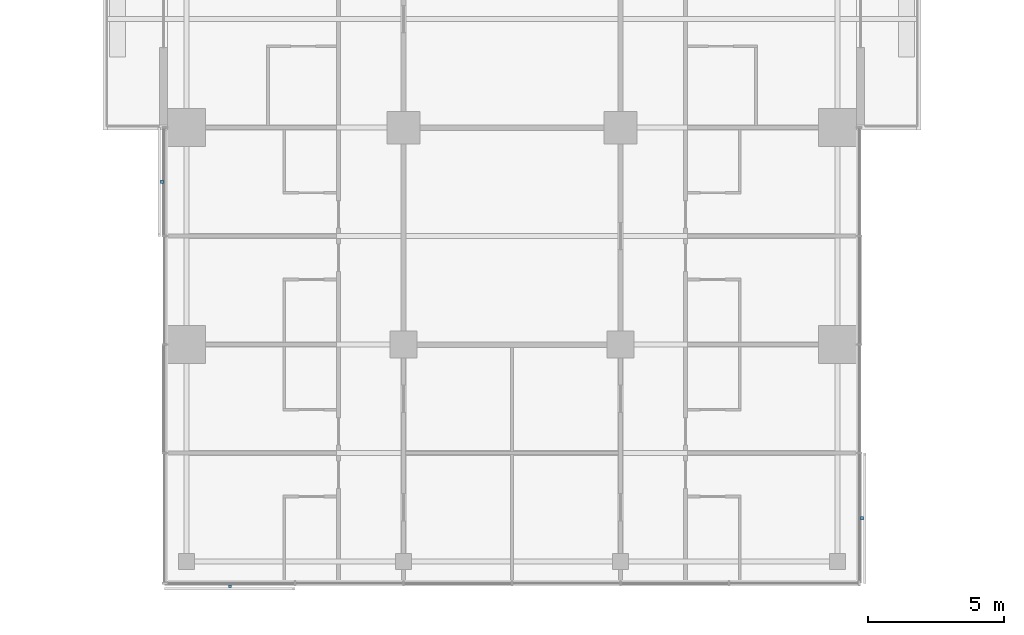
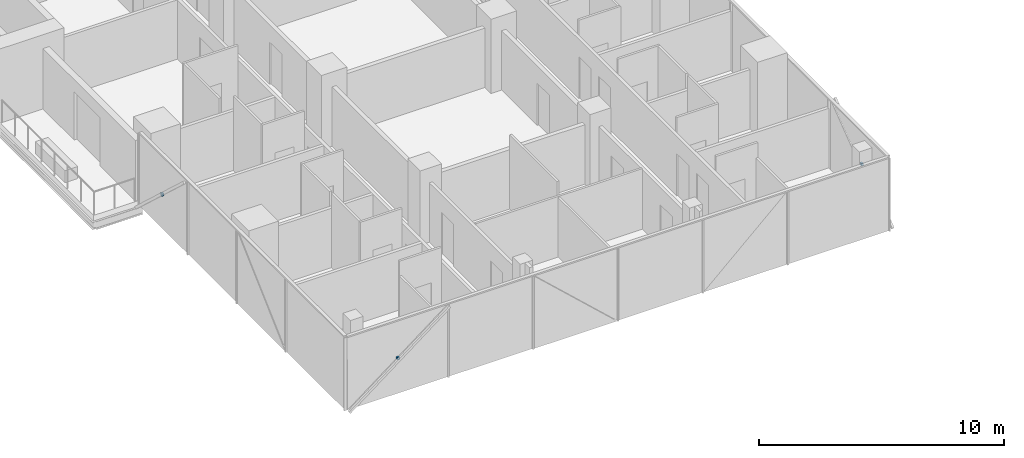
# One storey, part 25 of 29: 3 discrete accessories.
"""IFC4 building model written with IfcOpenShell, lengths in metres."""

from ifc_helpers import new_model, si_unit, direction, frame, origin, origin_2d, place, context, subcontext, project, spatial, rectangle, extrude, material, type_object, element, save


model = new_model("IFC4")

# Units and contexts
model_context = context("Model", 3, precision=1e-05, world=origin(), true_north=direction((0.0, 1.0)))
body_context = subcontext(model_context, "Body", "Model", "MODEL_VIEW")
ifc_project = project(units=[si_unit("LENGTHUNIT", "METRE"), si_unit("AREAUNIT", "SQUARE_METRE"), si_unit("VOLUMEUNIT", "CUBIC_METRE"), si_unit("PLANEANGLEUNIT", "RADIAN"), si_unit("MASSUNIT", "GRAM", prefix="KILO")], contexts=[model_context])

# Site, building, storey
site_placement = place(None, origin())
site = spatial("IfcSite", under=ifc_project, at=site_placement, CompositionType="ELEMENT")
building_placement = place(site_placement, origin())
building = spatial("IfcBuilding", under=site, at=building_placement, Name="Crosswind Convention Tower", CompositionType="ELEMENT")
storey_placement = place(building_placement, frame((0.0, 0.0, 57.199951171875)))
storey = spatial("IfcBuildingStorey", under=building, at=storey_placement, Name="L08", CompositionType="ELEMENT", Elevation=57.199951171875)

# Discrete accessories
ifc_material = material(Name="Stainless steel", Category="steel")
discrete_accessory_type = type_object("IfcDiscreteAccessoryType", Name="BAGUETTE BRACKET BK2", PredefinedType="BRACKET", material=ifc_material)
for number, where, z_axis, x_axis, name in (
    (1, (112.092041015625, 78.0, 1.4775390625), (0.0, 0.0, 1.0), (0.0, -1.0, 0.0), "BK2 baguette bracket"),
    (2, (114.60009765625, 63.092041015625, 1.4775390625), (0.0, 0.0, 1.0), (1.0, 0.0, 0.0), "BK2 baguette bracket"),
    (3, (137.907958984375, 65.60009765625, 1.4775390625), (0.0, 0.0, 1.0), (0.0, 1.0, 0.0), "BK2 baguette bracket"),
):
    element("IfcDiscreteAccessory", number, at=place(storey_placement, frame(where, z_axis=z_axis, x_axis=x_axis)), inside=storey, type_object=discrete_accessory_type, Name=name, PredefinedType="BRACKET", context=body_context, shape_type="SweptSolid", body=[
        extrude(rectangle(XDim=0.1201171875, YDim=0.10009765625, at=origin_2d()), origin(), (0.0, 0.0, 1.0), 0.1201171875),
    ])

save(model, "model.ifc")
